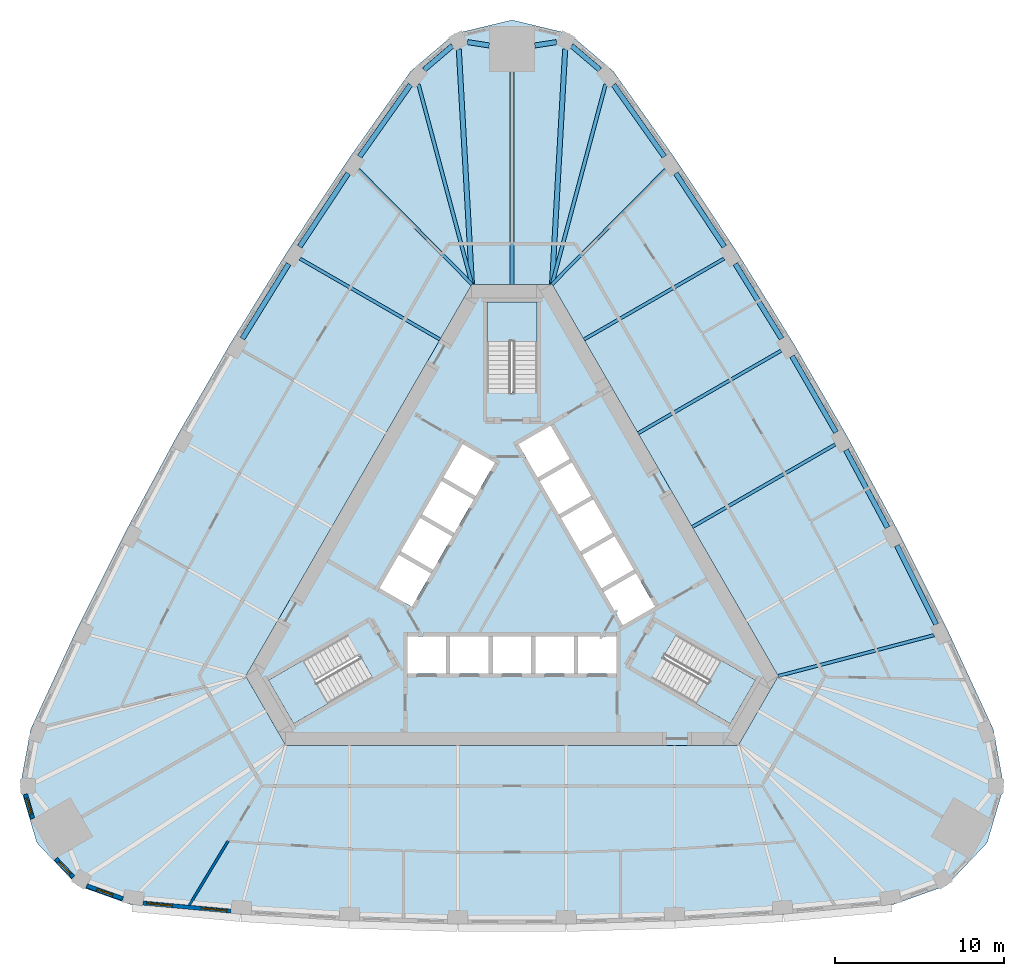
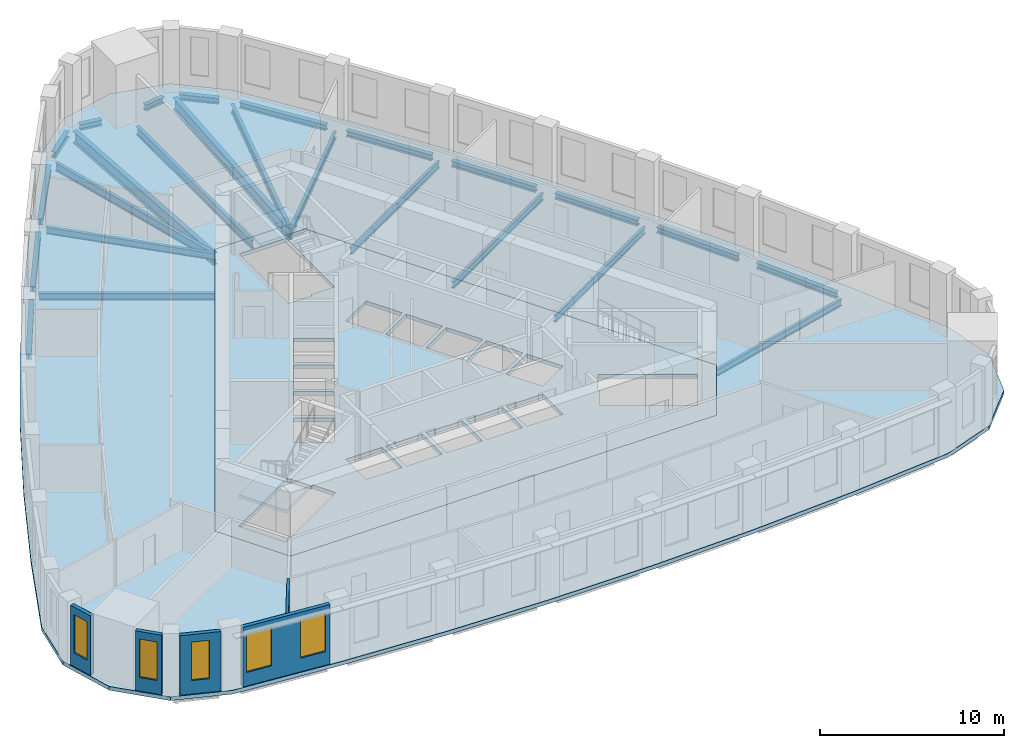
# One storey, part 2 of 10: 25 beams, 5 slabs, 5 walls, 5 windows, 5 openings, 3 elements without a shape of their own.
"""IFC4 building model written with IfcOpenShell, lengths in metres."""

import ifcopenshell
import ifcopenshell.guid

model = None  # the IFC model being written
_history = None  # IfcOwnerHistory: only IFC2X3 demands one
_inside = {}  # id of a spatial element -> (the spatial element, [elements in it])
_under = {}  # id of a project, library or spatial element -> (it, [spatial elements below it])
_declared = {}  # id of a project -> (the project, [libraries it declares])
_typed = {}  # id of a type object -> (the type object, [elements of that type])
_made_of = {}  # id of a material, layer set ... -> (it, [elements and type objects made of it])


def new_model(schema):
    """Start an empty IFC model of exactly this schema.

    Asked for "IFC4X3", IfcOpenShell would pick the latest addendum, in which some entities
    have other attributes; the version numbers below select the first issue.
    IFC2X3 requires an IfcOwnerHistory on every rooted entity: one is made here for all.
    """
    global model, _history
    if schema == "IFC4X3":
        model = ifcopenshell.file(schema_version=(4, 3, 0, 0))
    else:
        model = ifcopenshell.file(schema=schema)
    _inside.clear()
    _under.clear()
    _declared.clear()
    _typed.clear()
    _made_of.clear()
    _history = None
    if model.schema == "IFC2X3":
        org = make("IfcOrganization", Name="unknown")
        user = make(
            "IfcPersonAndOrganization",
            ThePerson=make("IfcPerson", FamilyName="unknown"),
            TheOrganization=org,
        )
        app = make(
            "IfcApplication",
            ApplicationDeveloper=org,
            Version="unknown",
            ApplicationFullName="unknown",
            ApplicationIdentifier="unknown",
        )
        _history = make(
            "IfcOwnerHistory",
            OwningUser=user,
            OwningApplication=app,
            ChangeAction="ADDED",
            CreationDate=0,
        )
    return model


def make(cls, **values):
    """One entity of the class cls with the attributes given. An attribute that is None is left unset."""
    return model.create_entity(
        cls, **{name: value for name, value in values.items() if value is not None}
    )


def rooted(cls, **values):
    """An entity with a GlobalId (a new one), such as an element, a storey or a relation."""
    return make(cls, GlobalId=ifcopenshell.guid.new(), OwnerHistory=_history, **values)


def si_unit(unit_type, name, prefix=None):
    """IfcSIUnit, for example si_unit("LENGTHUNIT", "METRE", prefix="MILLI")."""
    return make("IfcSIUnit", UnitType=unit_type, Prefix=prefix, Name=name)


def assignment(units):
    """IfcUnitAssignment: the units of a project."""
    return None if units is None else make("IfcUnitAssignment", Units=units)


def point(xyz):
    """IfcCartesianPoint."""
    return None if xyz is None else make("IfcCartesianPoint", Coordinates=xyz)


def direction(xyz):
    """IfcDirection."""
    return None if xyz is None else make("IfcDirection", DirectionRatios=xyz)


def frame(location, z_axis=None, x_axis=None):
    """IfcAxis2Placement3D, a coordinate frame: its origin and axes. An axis left out is left unset."""
    return make(
        "IfcAxis2Placement3D",
        Location=point(location),
        Axis=direction(z_axis),
        RefDirection=direction(x_axis),
    )


def frame_2d(location, x_axis=None):
    """IfcAxis2Placement2D, a coordinate frame in the plane: its origin and x axis."""
    return make(
        "IfcAxis2Placement2D", Location=point(location), RefDirection=direction(x_axis)
    )


def origin():
    """The frame at (0, 0, 0) with its axes left unset."""
    return frame((0.0, 0.0, 0.0))


def origin_2d():
    """The frame at (0, 0) in the plane with its x axis left unset."""
    return frame_2d((0.0, 0.0))


def place(relative_to, where):
    """IfcLocalPlacement: puts the frame where relative to a parent placement (None: the world)."""
    return make(
        "IfcLocalPlacement", PlacementRelTo=relative_to, RelativePlacement=where
    )


def context(
    kind, dimensions, precision=None, world=None, true_north=None, identifier=None
):
    """IfcGeometricRepresentationContext, for example the 3D "Model" context."""
    return make(
        "IfcGeometricRepresentationContext",
        ContextIdentifier=identifier,
        ContextType=kind,
        CoordinateSpaceDimension=dimensions,
        Precision=precision,
        WorldCoordinateSystem=world,
        TrueNorth=true_north,
    )


def subcontext(parent, identifier, kind, view, scale=None):
    """IfcGeometricRepresentationSubContext, for example "Body" below "Model"."""
    return make(
        "IfcGeometricRepresentationSubContext",
        ContextIdentifier=identifier,
        ContextType=kind,
        ParentContext=parent,
        TargetScale=scale,
        TargetView=view,
    )


def project(units=None, contexts=None):
    """IfcProject with its units and contexts."""
    return rooted(
        "IfcProject",
        Name="project",
        RepresentationContexts=contexts,
        UnitsInContext=assignment(units),
    )


def spatial(cls, under=None, at=None, **own):
    """A site, building, storey or space (cls), placed at a placement, below another one or the project."""
    s = rooted(cls, ObjectPlacement=at, **own)
    if under is not None:
        _under.setdefault(under.id(), (under, []))[1].append(s)
    return s


def polyline(points):
    """IfcPolyline through the points."""
    return make("IfcPolyline", Points=[point(p) for p in points])


def profile(cls, at=None, kind="AREA", **sizes):
    """A parametric profile (cls). Its sizes go by their IFC names, for example OverallWidth=200.0."""
    return make(cls, ProfileType=kind, Position=at, **sizes)


def rectangle(**sizes):
    """IfcRectangleProfileDef."""
    return profile("IfcRectangleProfileDef", **sizes)


def i_section(**sizes):
    """IfcIShapeProfileDef."""
    return profile("IfcIShapeProfileDef", **sizes)


def outline(outer, holes=None, kind="AREA"):
    """IfcArbitraryClosedProfileDef: a profile drawn as a closed curve; with holes, ...WithVoids."""
    if holes is None:
        return make("IfcArbitraryClosedProfileDef", ProfileType=kind, OuterCurve=outer)
    return make(
        "IfcArbitraryProfileDefWithVoids",
        ProfileType=kind,
        OuterCurve=outer,
        InnerCurves=holes,
    )


def extrude(swept, where, along, depth):
    """IfcExtrudedAreaSolid: the profile swept, set in the frame where, extruded along a direction by depth."""
    return make(
        "IfcExtrudedAreaSolid",
        SweptArea=swept,
        Position=where,
        ExtrudedDirection=direction(along),
        Depth=depth,
    )


def shape(context_of_items, identifier, shape_type, items):
    """IfcShapeRepresentation: the items that make up one representation, for example the "Body"."""
    return make(
        "IfcShapeRepresentation",
        ContextOfItems=context_of_items,
        RepresentationIdentifier=identifier,
        RepresentationType=shape_type,
        Items=items,
    )


def material(Name=None, Category=None):
    """IfcMaterial."""
    return make("IfcMaterial", Name=Name, Category=Category)


def layer(
    of_material, thickness, ventilated=None, Name=None, Category=None, Priority=None
):
    """IfcMaterialLayer: one layer of a wall or slab, of a material (None: an air gap)."""
    return make(
        "IfcMaterialLayer",
        Material=of_material,
        LayerThickness=thickness,
        IsVentilated=ventilated,
        Name=Name,
        Category=Category,
        Priority=Priority,
    )


def layer_set(layers, Name=None):
    """IfcMaterialLayerSet."""
    return make("IfcMaterialLayerSet", MaterialLayers=layers, LayerSetName=Name)


def material_profile(
    of_material, cross_section, Name=None, Category=None, Priority=None
):
    """IfcMaterialProfile: a cross section and its material."""
    return make(
        "IfcMaterialProfile",
        Name=Name,
        Material=of_material,
        Profile=cross_section,
        Priority=Priority,
        Category=Category,
    )


def profile_set(profiles, Name=None, composite=None):
    """IfcMaterialProfileSet."""
    return make(
        "IfcMaterialProfileSet",
        Name=Name,
        MaterialProfiles=profiles,
        CompositeProfile=composite,
    )


def made_of(thing, what):
    """Note that an element or type object is made of a material, layer set ...; save() writes the relation."""
    if what is not None:
        _made_of.setdefault(what.id(), (what, []))[1].append(thing)
    return thing


def type_object(cls, material=None, **own):
    """A type object (cls), such as IfcWallType, which elements share."""
    return made_of(rooted(cls, **own), material)


def element(
    cls,
    number,
    at=None,
    inside=None,
    cuts=None,
    type_object=None,
    material=None,
    context=None,
    identifier="Body",
    shape_type=None,
    held_by="IfcProductDefinitionShape",
    body=None,
    shapes=None,
    **own,
):
    """One element of the class cls, such as IfcWall. Its Tag is "e" and its number.

    at: its placement. inside: the storey or other place that contains it. cuts: it is an
    opening in that element (IfcRelVoidsElement). A single representation is given by context,
    identifier, shape_type and body (its items); several are given by shapes. held_by: the class
    of the entity that holds the representations. save() writes the other relations.
    """
    e = rooted(cls, Tag="e%d" % number, ObjectPlacement=at, **own)
    if body is not None:
        shapes = [shape(context, identifier, shape_type, body)]
    if shapes is not None:
        e.Representation = make(held_by, Representations=shapes)
    if inside is not None:
        _inside.setdefault(inside.id(), (inside, []))[1].append(e)
    if cuts is not None:
        rooted(
            "IfcRelVoidsElement", RelatingBuildingElement=cuts, RelatedOpeningElement=e
        )
    if type_object is not None:
        _typed.setdefault(type_object.id(), (type_object, []))[1].append(e)
    return made_of(e, material)


def fill(opening, filler):
    """IfcRelFillsElement: the door or window that sits in an opening."""
    return rooted(
        "IfcRelFillsElement",
        RelatingOpeningElement=opening,
        RelatedBuildingElement=filler,
    )


def aggregate(whole, parts):
    """IfcRelAggregates: a whole, such as a stair, and the parts it consists of."""
    return rooted("IfcRelAggregates", RelatingObject=whole, RelatedObjects=parts)


def save(model, path):
    """Write the relations noted so far, then the file.

    IfcRelAggregates (storeys below a building ...), IfcRelContainedInSpatialStructure (elements
    in a storey), IfcRelDefinesByType, IfcRelAssociatesMaterial and IfcRelDeclares: one each for
    every whole, place, type object, material and project.
    """
    for whole, parts in _under.values():
        aggregate(whole, parts)
    for where, things in _inside.values():
        rooted(
            "IfcRelContainedInSpatialStructure",
            RelatedElements=things,
            RelatingStructure=where,
        )
    for kind, things in _typed.values():
        rooted("IfcRelDefinesByType", RelatedObjects=things, RelatingType=kind)
    for what, things in _made_of.values():
        rooted("IfcRelAssociatesMaterial", RelatedObjects=things, RelatingMaterial=what)
    for by, libraries in _declared.values():
        rooted("IfcRelDeclares", RelatingContext=by, RelatedDefinitions=libraries)
    model.write(path)


model = new_model("IFC4")

# Units and contexts
model_context = context("Model", 3, precision=1e-05, world=origin(), true_north=direction((0.0, 1.0)))
body_context = subcontext(model_context, "Body", "Model", "MODEL_VIEW")
ifc_project = project(units=[si_unit("LENGTHUNIT", "METRE"), si_unit("AREAUNIT", "SQUARE_METRE"), si_unit("VOLUMEUNIT", "CUBIC_METRE"), si_unit("PLANEANGLEUNIT", "RADIAN"), si_unit("MASSUNIT", "GRAM", prefix="KILO")], contexts=[model_context])

# Site, building, storey
site_placement = place(None, origin())
site = spatial("IfcSite", under=ifc_project, at=site_placement, CompositionType="ELEMENT")
building_placement = place(site_placement, origin())
building = spatial("IfcBuilding", under=site, at=building_placement, Name="Mestral Congress Tower", CompositionType="ELEMENT")
storey_placement = place(building_placement, frame((0.0, 0.0, 145.800048828125)))
storey = spatial("IfcBuildingStorey", under=building, at=storey_placement, Name="L34", CompositionType="ELEMENT", Elevation=145.800048828125)

# Beams
ifc_material_1 = material(Name="Steel S355", Category="steel")
ifc_material_profile_1 = material_profile(ifc_material_1, i_section(OverallWidth=0.300048828125, OverallDepth=0.800048828125, WebThickness=0.017578125, FlangeThickness=0.032958984375, FilletRadius=0.030029296875, at=origin_2d()), Name="HEB 800")
ifc_profile_set_1 = profile_set([ifc_material_profile_1], Name="Steel S355")
beam_type_1 = type_object("IfcBeamType", Name="Floor beam HEB 800 S355", PredefinedType="BEAM", material=ifc_profile_set_1)
for number, where, z_axis, x_axis, name in (
    (1, (3.143798828125, 30.703857421875, -0.650146484375), (-0.055769084972, -0.998443693536, 0.0), (0.998443693536, -0.055769084972, 0.0), "BM-L34-RB3-N1"),
    (2, (-3.143798828125, 30.703857421875, -0.650146484375), (0.055769084972, -0.998443693536, 0.0), (0.998443693536, 0.055769084972, 0.0), "BM-L34-RB3-N3"),
):
    element("IfcBeam", number, at=place(storey_placement, frame(where, z_axis=z_axis, x_axis=x_axis)), inside=storey, type_object=beam_type_1, Name=name, PredefinedType="BEAM", context=body_context, shape_type="SweptSolid", body=[
        extrude(i_section(OverallWidth=0.300048828125, OverallDepth=0.800048828125, WebThickness=0.017578125, FlangeThickness=0.032958984375, FilletRadius=0.030029296875, at=origin_2d()), origin(), (0.0, 0.0, 1.0), 13.925537109375),
    ])
ifc_material_profile_2 = material_profile(ifc_material_1, i_section(OverallWidth=0.18994140625, OverallDepth=0.449951171875, WebThickness=0.009521484375, FlangeThickness=0.0146484375, FilletRadius=0.02099609375, at=origin_2d()), Name="IPE 450")
ifc_profile_set_2 = profile_set([ifc_material_profile_2], Name="Steel S355")
beam_type_2 = type_object("IfcBeamType", Name="Floor beam IPE 450 S355", PredefinedType="BEAM", material=ifc_profile_set_2)
beam_1_placement = place(storey_placement, frame((24.938232421875, -3.93505859375, -0.47509765625), z_axis=(-0.967265999603, -0.253764627187, 0.0), x_axis=(0.253764627187, -0.967265999603, 0.0)))
element("IfcBeam", 3, at=beam_1_placement, inside=storey, type_object=beam_type_2, Name="BM-L34-RB3-E01", PredefinedType="BEAM", context=body_context, shape_type="SweptSolid", body=[
    extrude(i_section(OverallWidth=0.18994140625, OverallDepth=0.449951171875, WebThickness=0.009521484375, FlangeThickness=0.0146484375, FilletRadius=0.02099609375, at=origin_2d()), origin(), (0.0, 0.0, 1.0), 9.516845703125),
])
beam_2_placement = place(storey_placement, frame((19.100830078125, 7.332763671875, -0.47509765625), z_axis=(-0.866036015824, -0.499981618958, 0.0), x_axis=(0.499981618958, -0.866036015824, 0.0)))
element("IfcBeam", 4, at=beam_2_placement, inside=storey, type_object=beam_type_2, Name="BM-L34-RB3-E03", PredefinedType="BEAM", context=body_context, shape_type="SweptSolid", body=[
    extrude(i_section(OverallWidth=0.18994140625, OverallDepth=0.449951171875, WebThickness=0.009521484375, FlangeThickness=0.0146484375, FilletRadius=0.02099609375, at=origin_2d()), origin(), (0.0, 0.0, 1.0), 9.758056640625),
])
beam_3_placement = place(storey_placement, frame((15.90087890625, 12.875244140625, -0.47509765625), z_axis=(-0.866025182435, -0.500000383388, 0.0), x_axis=(0.500000383388, -0.866025182435, 0.0)))
element("IfcBeam", 5, at=beam_3_placement, inside=storey, type_object=beam_type_2, Name="BM-L34-RB3-E04", PredefinedType="BEAM", context=body_context, shape_type="SweptSolid", body=[
    extrude(i_section(OverallWidth=0.18994140625, OverallDepth=0.449951171875, WebThickness=0.009521484375, FlangeThickness=0.0146484375, FilletRadius=0.02099609375, at=origin_2d()), origin(), (0.0, 0.0, 1.0), 9.75830078125),
])
beam_4_placement = place(storey_placement, frame((12.532958984375, 18.317138671875, -0.47509765625), z_axis=(-0.866022320763, -0.500005339912, 0.0), x_axis=(0.500005339912, -0.866022320763, 0.0)))
element("IfcBeam", 6, at=beam_4_placement, inside=storey, type_object=beam_type_2, Name="BM-L34-RB3-E05", PredefinedType="BEAM", context=body_context, shape_type="SweptSolid", body=[
    extrude(i_section(OverallWidth=0.18994140625, OverallDepth=0.449951171875, WebThickness=0.009521484375, FlangeThickness=0.0146484375, FilletRadius=0.02099609375, at=origin_2d()), origin(), (0.0, 0.0, 1.0), 9.5625),
])
for number, where, z_axis, x_axis, name in (
    (7, (9.06103515625, 23.564697265625, -0.47509765625), (-0.703377189025, -0.710816804781, 0.0), (0.710816804781, -0.703377189025, 0.0), "BM-L34-RB3-E06"),
    (8, (-9.06103515625, 23.564697265625, -0.47509765625), (0.703377189025, -0.710816804781, 0.0), (0.710816804781, 0.703377189025, 0.0), "BM-L34-RB3-W01"),
):
    element("IfcBeam", number, at=place(storey_placement, frame(where, z_axis=z_axis, x_axis=x_axis)), inside=storey, type_object=beam_type_2, Name=name, PredefinedType="BEAM", context=body_context, shape_type="SweptSolid", body=[
        extrude(i_section(OverallWidth=0.18994140625, OverallDepth=0.449951171875, WebThickness=0.009521484375, FlangeThickness=0.0146484375, FilletRadius=0.02099609375, at=origin_2d()), origin(), (0.0, 0.0, 1.0), 9.516845703125),
    ])
beam_5_placement = place(storey_placement, frame((-12.532958984375, 18.317138671875, -0.47509765625), z_axis=(0.866022320763, -0.500005339912, 0.0), x_axis=(0.500005339912, 0.866022320763, 0.0)))
element("IfcBeam", 9, at=beam_5_placement, inside=storey, type_object=beam_type_2, Name="BM-L34-RB3-W02", PredefinedType="BEAM", context=body_context, shape_type="SweptSolid", body=[
    extrude(i_section(OverallWidth=0.18994140625, OverallDepth=0.449951171875, WebThickness=0.009521484375, FlangeThickness=0.0146484375, FilletRadius=0.02099609375, at=origin_2d()), origin(), (0.0, 0.0, 1.0), 9.5625),
])
ifc_material_profile_3 = material_profile(ifc_material_1, i_section(OverallWidth=0.2099609375, OverallDepth=0.550048828125, WebThickness=0.010986328125, FlangeThickness=0.01708984375, FilletRadius=0.02392578125, at=origin_2d()), Name="IPE 550")
ifc_profile_set_3 = profile_set([ifc_material_profile_3], Name="Steel S355")
beam_type_3 = type_object("IfcBeamType", Name="Floor beam IPE 550 S355", PredefinedType="BEAM", material=ifc_profile_set_3)
beam_6_placement = place(storey_placement, frame((5.5283203125, 28.609375, -0.525146484375), z_axis=(-0.258577363905, -0.965990552167, 0.0), x_axis=(0.965990552167, -0.258577363905, 0.0)))
element("IfcBeam", 10, at=beam_6_placement, inside=storey, type_object=beam_type_3, Name="BM-L34-RB3-E07", PredefinedType="BEAM", context=body_context, shape_type="SweptSolid", body=[
    extrude(i_section(OverallWidth=0.2099609375, OverallDepth=0.550048828125, WebThickness=0.010986328125, FlangeThickness=0.01708984375, FilletRadius=0.02392578125, at=origin_2d()), origin(), (0.0, 0.0, 1.0), 12.22509765625),
])
beam_7_placement = place(storey_placement, frame((0.0, 29.354248046875, -0.525146484375), z_axis=(0.0, -1.0, 0.0), x_axis=(1.0, 0.0, 0.0)))
element("IfcBeam", 11, at=beam_7_placement, inside=storey, type_object=beam_type_3, Name="BM-L34-RB3-N", PredefinedType="BEAM", context=body_context, shape_type="SweptSolid", body=[
    extrude(i_section(OverallWidth=0.2099609375, OverallDepth=0.550048828125, WebThickness=0.010986328125, FlangeThickness=0.01708984375, FilletRadius=0.02392578125, at=origin_2d()), origin(), (0.0, 0.0, 1.0), 12.55419921875),
])
beam_8_placement = place(storey_placement, frame((-5.5283203125, 28.609375, -0.525146484375), z_axis=(0.258577363905, -0.965990552167, 0.0), x_axis=(0.965990552167, 0.258577363905, 0.0)))
element("IfcBeam", 12, at=beam_8_placement, inside=storey, type_object=beam_type_3, Name="BM-L34-RB3-W00", PredefinedType="BEAM", context=body_context, shape_type="SweptSolid", body=[
    extrude(i_section(OverallWidth=0.2099609375, OverallDepth=0.550048828125, WebThickness=0.010986328125, FlangeThickness=0.01708984375, FilletRadius=0.02392578125, at=origin_2d()), origin(), (0.0, 0.0, 1.0), 12.22509765625),
])
ifc_material_profile_4 = material_profile(ifc_material_1, i_section(OverallWidth=0.300048828125, OverallDepth=0.389892578125, WebThickness=0.010986328125, FlangeThickness=0.01904296875, FilletRadius=0.027099609375, at=origin_2d()), Name="HEA 400")
ifc_profile_set_4 = profile_set([ifc_material_profile_4], Name="Steel S355")
beam_type_4 = type_object("IfcBeamType", Name="Spandrel beam HEA 400 S355", PredefinedType="BEAM", material=ifc_profile_set_4)
beam_9_placement = place(storey_placement, frame((25.064453125, -3.294677734375, -0.445068359375), z_axis=(-0.446255467462, 0.894905613884, 0.0), x_axis=(-0.894905613884, -0.446255467462, 0.0)))
element("IfcBeam", 13, at=beam_9_placement, inside=storey, type_object=beam_type_4, Name="SP-L34-SB3-E01", PredefinedType="BEAM", context=body_context, shape_type="SweptSolid", body=[
    extrude(i_section(OverallWidth=0.300048828125, OverallDepth=0.389892578125, WebThickness=0.010986328125, FlangeThickness=0.01904296875, FilletRadius=0.027099609375, at=origin_2d()), origin(), (0.0, 0.0, 1.0), 5.199462890625),
])
for number, where, z_axis, x_axis, name in (
    (14, (22.1923828125, 2.424072265625, -0.445068359375), (-0.473332458078, 0.880883865291, 0.0), (-0.880883865291, -0.473332458078, 0.0), "SP-L34-SB3-E02"),
    (15, (19.147216796875, 8.052490234375, -0.445068359375), (-0.499992051641, 0.866029992723, 0.0), (-0.866029992723, -0.499992051641, 0.0), "SP-L34-SB3-E03"),
):
    element("IfcBeam", number, at=place(storey_placement, frame(where, z_axis=z_axis, x_axis=x_axis)), inside=storey, type_object=beam_type_4, Name=name, PredefinedType="BEAM", context=body_context, shape_type="SweptSolid", body=[
        extrude(i_section(OverallWidth=0.300048828125, OverallDepth=0.389892578125, WebThickness=0.010986328125, FlangeThickness=0.01904296875, FilletRadius=0.027099609375, at=origin_2d()), origin(), (0.0, 0.0, 1.0), 5.19970703125),
    ])
for number, where, z_axis, x_axis, name in (
    (16, (15.931640625, 13.585693359375, -0.445068359375), (-0.526220441006, 0.8503481919, 0.0), (-0.8503481919, -0.526220441006, 0.0), "SP-L34-SB3-E04"),
    (17, (12.548583984375, 19.017822265625, -0.445068359375), (-0.551901475275, 0.833909324561, 0.0), (-0.833909324561, -0.551901475275, 0.0), "SP-L34-SB3-E05"),
):
    element("IfcBeam", number, at=place(storey_placement, frame(where, z_axis=z_axis, x_axis=x_axis)), inside=storey, type_object=beam_type_4, Name=name, PredefinedType="BEAM", context=body_context, shape_type="SweptSolid", body=[
        extrude(i_section(OverallWidth=0.300048828125, OverallDepth=0.389892578125, WebThickness=0.010986328125, FlangeThickness=0.01904296875, FilletRadius=0.027099609375, at=origin_2d()), origin(), (0.0, 0.0, 1.0), 5.199462890625),
    ])
beam_10_placement = place(storey_placement, frame((9.00146484375, 24.34423828125, -0.445068359375), z_axis=(-0.577107284947, 0.816668342512, 0.0), x_axis=(-0.816668342512, -0.577107284947, 0.0)))
element("IfcBeam", 18, at=beam_10_placement, inside=storey, type_object=beam_type_4, Name="SP-L34-SB3-E06", PredefinedType="BEAM", context=body_context, shape_type="SweptSolid", body=[
    extrude(i_section(OverallWidth=0.300048828125, OverallDepth=0.389892578125, WebThickness=0.010986328125, FlangeThickness=0.01904296875, FilletRadius=0.027099609375, at=origin_2d()), origin(), (0.0, 0.0, 1.0), 5.197509765625),
])
beam_11_placement = place(storey_placement, frame((5.191162109375, 29.47509765625, -0.445068359375), z_axis=(-0.761471479234, 0.648198415852, 0.0), x_axis=(-0.648198415852, -0.761471479234, 0.0)))
element("IfcBeam", 19, at=beam_11_placement, inside=storey, type_object=beam_type_4, Name="SP-L34-SB3-E07", PredefinedType="BEAM", context=body_context, shape_type="SweptSolid", body=[
    extrude(i_section(OverallWidth=0.300048828125, OverallDepth=0.389892578125, WebThickness=0.010986328125, FlangeThickness=0.01904296875, FilletRadius=0.027099609375, at=origin_2d()), origin(), (0.0, 0.0, 1.0), 2.189697265625),
])
for number, where, z_axis, x_axis, name in (
    (20, (2.62353515625, 31.10986328125, -0.445068359375), (-0.988242111203, -0.152897121116, 0.0), (0.152897121116, -0.988242111203, 0.0), "SP-L34-SB3-N1"),
    (21, (-1.35009765625, 30.912841796875, -0.445068359375), (-0.988242111203, 0.152897121116, 0.0), (-0.152897121116, -0.988242111203, 0.0), "SP-L34-SB3-N"),
):
    element("IfcBeam", number, at=place(storey_placement, frame(where, z_axis=z_axis, x_axis=x_axis)), inside=storey, type_object=beam_type_4, Name=name, PredefinedType="BEAM", context=body_context, shape_type="SweptSolid", body=[
        extrude(i_section(OverallWidth=0.300048828125, OverallDepth=0.389892578125, WebThickness=0.010986328125, FlangeThickness=0.01904296875, FilletRadius=0.027099609375, at=origin_2d()), origin(), (0.0, 0.0, 1.0), 1.28857421875),
    ])
beam_12_placement = place(storey_placement, frame((-3.523681640625, 30.89453125, -0.445068359375), z_axis=(-0.761471479234, -0.648198415852, 0.0), x_axis=(0.648198415852, -0.761471479234, 0.0)))
element("IfcBeam", 22, at=beam_12_placement, inside=storey, type_object=beam_type_4, Name="SP-L34-SB3-N3", PredefinedType="BEAM", context=body_context, shape_type="SweptSolid", body=[
    extrude(i_section(OverallWidth=0.300048828125, OverallDepth=0.389892578125, WebThickness=0.010986328125, FlangeThickness=0.01904296875, FilletRadius=0.027099609375, at=origin_2d()), origin(), (0.0, 0.0, 1.0), 2.189697265625),
])
beam_13_placement = place(storey_placement, frame((-6.001953125, 28.5888671875, -0.445068359375), z_axis=(-0.577107284947, -0.816668342512, 0.0), x_axis=(0.816668342512, -0.577107284947, 0.0)))
element("IfcBeam", 23, at=beam_13_placement, inside=storey, type_object=beam_type_4, Name="SP-L34-SB3-W00", PredefinedType="BEAM", context=body_context, shape_type="SweptSolid", body=[
    extrude(i_section(OverallWidth=0.300048828125, OverallDepth=0.389892578125, WebThickness=0.010986328125, FlangeThickness=0.01904296875, FilletRadius=0.027099609375, at=origin_2d()), origin(), (0.0, 0.0, 1.0), 5.197509765625),
])
for number, where, z_axis, x_axis, name in (
    (24, (-9.678955078125, 23.353759765625, -0.445068359375), (-0.551901475275, -0.833909324561, 0.0), (0.833909324561, -0.551901475275, 0.0), "SP-L34-SB3-W01"),
    (25, (-13.195556640625, 18.007080078125, -0.445068359375), (-0.526220441006, -0.8503481919, 0.0), (0.8503481919, -0.526220441006, 0.0), "SP-L34-SB3-W02"),
):
    element("IfcBeam", number, at=place(storey_placement, frame(where, z_axis=z_axis, x_axis=x_axis)), inside=storey, type_object=beam_type_4, Name=name, PredefinedType="BEAM", context=body_context, shape_type="SweptSolid", body=[
        extrude(i_section(OverallWidth=0.300048828125, OverallDepth=0.389892578125, WebThickness=0.010986328125, FlangeThickness=0.01904296875, FilletRadius=0.027099609375, at=origin_2d()), origin(), (0.0, 0.0, 1.0), 5.199462890625),
    ])

# Slabs
ifc_material_2 = material(Name="Concrete C35/45", Category="concrete")
ifc_layer_1 = layer(ifc_material_2, 0.25)
ifc_layer_set_1 = layer_set([ifc_layer_1], Name="Concrete C35/45")
slab_type_1 = type_object("IfcSlabType", Name="Composite floor slab 250", PredefinedType="FLOOR", material=ifc_layer_set_1)
placement_1 = place(storey_placement, frame((0.0, 0.0, -0.25)))
element("IfcSlab", 26, at=placement_1, inside=storey, type_object=slab_type_1, Name="SL-L34", PredefinedType="FLOOR", context=body_context, shape_type="SweptSolid", body=[
    extrude(outline(polyline([(-22.455078125, -19.880126953125), (-25.68212890625, -18.731689453125), (-28.073974609375, -16.20849609375), (-29.06298828125, -12.87548828125), (-28.444091796875, -9.506591796875), (-25.73779296875, -3.63720703125), (-22.8759765625, 2.1025390625), (-19.84033203125, 7.751953125), (-16.633544921875, 13.30615234375), (-13.2587890625, 18.760009765625), (-9.71923828125, 24.1083984375), (-5.9892578125, 29.38671875), (-3.381103515625, 31.607177734375), (0.0, 32.4169921875), (3.381103515625, 31.607177734375), (5.9892578125, 29.38671875), (9.71923828125, 24.1083984375), (13.2587890625, 18.760009765625), (16.633544921875, 13.30615234375), (19.84033203125, 7.751953125), (22.8759765625, 2.1025390625), (25.73779296875, -3.63720703125), (28.444091796875, -9.506591796875), (29.06298828125, -12.87548828125), (28.073974609375, -16.20849609375), (25.68212890625, -18.731689453125), (22.455078125, -19.880126953125), (16.018798828125, -20.47119140625), (9.6171875, -20.862548828125), (3.206787109375, -21.05810546875), (-3.206787109375, -21.05810546875), (-9.6171875, -20.862548828125), (-16.018798828125, -20.47119140625), (-22.455078125, -19.880126953125)]), holes=[polyline([(-2.3671875, 16.800048828125), (-15.73291015625, -6.35009765625), (-13.36572265625, -10.449951171875), (13.36572265625, -10.449951171875), (15.73291015625, -6.35009765625), (2.3671875, 16.800048828125), (-2.3671875, 16.800048828125)])]), origin(), (0.0, 0.0, 1.0), 0.25),
])
ifc_material_3 = material(Name="Concrete C60/75", Category="concrete")
ifc_layer_2 = layer(ifc_material_3, 0.25)
ifc_layer_set_2 = layer_set([ifc_layer_2], Name="Concrete C60/75")
slab_type_2 = type_object("IfcSlabType", Name="Core floor slab RC 250", PredefinedType="FLOOR", material=ifc_layer_set_2)
element("IfcSlab", 27, at=placement_1, inside=storey, type_object=slab_type_2, Name="L34 core floor", PredefinedType="FLOOR", context=body_context, shape_type="SweptSolid", body=[
    extrude(outline(polyline([(13.36572265625, -10.449951171875), (-13.36572265625, -10.449951171875), (-15.73291015625, -6.35009765625), (-2.3671875, 16.800048828125), (2.3671875, 16.800048828125), (15.73291015625, -6.35009765625), (13.36572265625, -10.449951171875)]), holes=[polyline([(-9.8046875, -3.95751953125), (-14.37744140625, -6.59765625), (-12.90234375, -9.15234375), (-8.234619140625, -6.45751953125), (-8.971923828125, -5.179931640625), (-9.0673828125, -5.235107421875), (-9.8046875, -3.95751953125)]), polyline([(-3.905029296875, -4.0), (-6.175048828125, -4.0), (-6.175048828125, -6.199951171875), (-3.905029296875, -6.199951171875), (-3.905029296875, -4.0)]), polyline([(-1.385009765625, -4.0), (-3.655029296875, -4.0), (-3.655029296875, -6.199951171875), (-1.385009765625, -6.199951171875), (-1.385009765625, -4.0)]), polyline([(1.135009765625, -4.0), (-1.135009765625, -4.0), (-1.135009765625, -6.199951171875), (1.135009765625, -6.199951171875), (1.135009765625, -4.0)]), polyline([(-5.921630859375, -2.256591796875), (-4.78662109375, -0.29052734375), (-6.69189453125, 0.809326171875), (-7.826904296875, -1.156494140625), (-5.921630859375, -2.256591796875)]), polyline([(-4.66162109375, -0.07421875), (-3.526611328125, 1.8916015625), (-5.431884765625, 2.99169921875), (-6.56689453125, 1.02587890625), (-4.66162109375, -0.07421875)]), polyline([(-3.401611328125, 2.1083984375), (-2.2666015625, 4.07421875), (-4.171875, 5.174072265625), (-5.306884765625, 3.208251953125), (-3.401611328125, 2.1083984375)]), polyline([(-2.1416015625, 4.29052734375), (-1.006591796875, 6.256591796875), (-2.911865234375, 7.3564453125), (-4.046875, 5.390625), (-2.1416015625, 4.29052734375)]), polyline([(1.47509765625, 10.469970703125), (1.47509765625, 15.75), (-1.47509765625, 15.75), (-1.47509765625, 10.360107421875), (0.0, 10.360107421875), (0.0, 10.469970703125), (1.47509765625, 10.469970703125)]), polyline([(8.329833984375, -6.512451171875), (12.90234375, -9.15234375), (14.37744140625, -6.59765625), (9.70947265625, -3.902587890625), (8.971923828125, -5.179931640625), (9.0673828125, -5.235107421875), (8.329833984375, -6.512451171875)]), polyline([(3.655029296875, -4.0), (1.385009765625, -4.0), (1.385009765625, -6.199951171875), (3.655029296875, -6.199951171875), (3.655029296875, -4.0)]), polyline([(6.175048828125, -4.0), (3.905029296875, -4.0), (3.905029296875, -6.199951171875), (6.175048828125, -6.199951171875), (6.175048828125, -4.0)]), polyline([(5.41650390625, -1.3818359375), (6.551513671875, -3.34765625), (8.456787109375, -2.247802734375), (7.322021484375, -0.28173828125), (5.41650390625, -1.3818359375)]), polyline([(4.156494140625, 0.800537109375), (5.29150390625, -1.165283203125), (7.197021484375, -0.065185546875), (6.06201171875, 1.900634765625), (4.156494140625, 0.800537109375)]), polyline([(2.896484375, 2.98291015625), (4.031494140625, 1.01708984375), (5.93701171875, 2.1171875), (4.802001953125, 4.0830078125), (2.896484375, 2.98291015625)]), polyline([(3.5419921875, 6.265380859375), (1.63671875, 5.165283203125), (2.771484375, 3.199462890625), (4.677001953125, 4.29931640625), (3.5419921875, 6.265380859375)]), polyline([(2.281982421875, 8.44775390625), (0.376708984375, 7.34765625), (1.51171875, 5.3818359375), (3.4169921875, 6.481689453125), (2.281982421875, 8.44775390625)])]), origin(), (0.0, 0.0, 1.0), 0.25),
])

# Stair, slab
stair_type = type_object("IfcStairType", Name="Exit stair 1400", PredefinedType="HALF_TURN_STAIR", material=ifc_material_3)
placement_2 = place(storey_placement, origin())
stair_1 = element("IfcStair", 28, at=placement_2, inside=storey, type_object=stair_type, Name="L34 ST1", PredefinedType="HALF_TURN_STAIR")
ifc_layer_3 = layer(ifc_material_3, 0.199951171875)
ifc_layer_set_3 = layer_set([ifc_layer_3], Name="Concrete C60/75")
slab_type_3 = type_object("IfcSlabType", Name="Exit stair landing 200", PredefinedType="LANDING", material=ifc_layer_set_3)
placement_3 = place(storey_placement, frame((0.0, 0.0, 1.89990234375)))
slab_3 = element("IfcSlab", 29, at=placement_3, type_object=slab_type_3, Name="ST1 landing 1", PredefinedType="LANDING", context=body_context, shape_type="SweptSolid", body=[
    extrude(outline(polyline([(10.879638671875, -7.99609375), (12.364501953125, -5.424072265625), (14.39111328125, -6.593994140625), (12.906005859375, -9.166015625), (10.879638671875, -7.99609375)])), origin(), (0.0, 0.0, 1.0), 0.199951171875),
])
aggregate(stair_1, [slab_3])

stair_2 = element("IfcStair", 30, at=placement_2, inside=storey, type_object=stair_type, Name="L34 ST2", PredefinedType="HALF_TURN_STAIR")
slab_4 = element("IfcSlab", 31, at=placement_3, type_object=slab_type_3, Name="ST2 landing 1", PredefinedType="LANDING", context=body_context, shape_type="SweptSolid", body=[
    extrude(outline(polyline([(1.485107421875, 13.419921875), (-1.485107421875, 13.419921875), (-1.485107421875, 15.760009765625), (1.485107421875, 15.760009765625), (1.485107421875, 13.419921875)])), origin(), (0.0, 0.0, 1.0), 0.199951171875),
])
aggregate(stair_2, [slab_4])

stair_3 = element("IfcStair", 32, at=placement_2, inside=storey, type_object=stair_type, Name="L34 ST3", PredefinedType="HALF_TURN_STAIR")
slab_5 = element("IfcSlab", 33, at=placement_3, type_object=slab_type_3, Name="ST3 landing 1", PredefinedType="LANDING", context=body_context, shape_type="SweptSolid", body=[
    extrude(outline(polyline([(-12.364501953125, -5.424072265625), (-10.879638671875, -7.99609375), (-12.906005859375, -9.166015625), (-14.39111328125, -6.593994140625), (-12.364501953125, -5.424072265625)])), origin(), (0.0, 0.0, 1.0), 0.199951171875),
])
aggregate(stair_3, [slab_5])

# Wall, openings, windows
ifc_material_4 = material(Name="Precast concrete C40/50 with limestone facing", Category="masonry")
ifc_layer_4 = layer(ifc_material_4, 0.239990234375)
ifc_layer_set_4 = layer_set([ifc_layer_4], Name="Precast concrete C40/50 with limestone facing")
wall_type_1 = type_object("IfcWallType", Name="Facade stone wall 240", PredefinedType="SOLIDWALL", material=ifc_layer_set_4)
wall_1_placement = place(storey_placement, frame((-21.797119140625, -19.769775390625, 0.0), z_axis=(0.0, 0.0, 1.0), x_axis=(0.995808712151, -0.091460422067, 0.0)))
wall_1 = element("IfcWall", 34, at=wall_1_placement, inside=storey, type_object=wall_type_1, Name="Facade wall F0-00", PredefinedType="SOLIDWALL", context=body_context, shape_type="SweptSolid", body=[
    extrude(rectangle(XDim=5.213134765625, YDim=0.239990234375, at=frame_2d((2.6064453125, 0.0))), origin(), (0.0, 0.0, 1.0), 3.949951171875),
])
opening_1_placement = place(wall_1_placement, frame((0.220947265625, 0.0, 0.89990234375)))
opening_1 = element("IfcOpeningElement", 35, at=opening_1_placement, cuts=wall_1, Name="Opening W4", PredefinedType="OPENING", context=body_context, shape_type="SweptSolid", body=[
    extrude(rectangle(XDim=1.5, YDim=2.550048828125, at=frame_2d((0.75, 1.27490234375))), frame((0.0, 0.1298828125, 0.0), z_axis=(0.0, -1.0, 0.0), x_axis=(1.0, 0.0, 0.0)), (0.0, 0.0, 1.0), 0.260009765625),
])
opening_2_placement = place(wall_1_placement, frame((3.452392578125, 0.0, 0.89990234375)))
opening_2 = element("IfcOpeningElement", 36, at=opening_2_placement, cuts=wall_1, Name="Opening W4", PredefinedType="OPENING", context=body_context, shape_type="SweptSolid", body=[
    extrude(rectangle(XDim=1.5, YDim=2.550048828125, at=frame_2d((0.75, 1.27490234375))), frame((0.0, 0.1298828125, 0.0), z_axis=(0.0, -1.0, 0.0), x_axis=(1.0, 0.0, 0.0)), (0.0, 0.0, 1.0), 0.260009765625),
])
ifc_material_5 = material(Name="Clear low-emissivity double glazing", Category="glass")
window_type_1 = type_object("IfcWindowType", Name="Facade punched window 1500 x 2550 sill 900", PartitioningType="SINGLE_PANEL", PredefinedType="WINDOW", material=ifc_material_5)
window_1_placement = place(opening_1_placement, origin())
window_1 = element("IfcWindow", 37, at=window_1_placement, inside=storey, type_object=window_type_1, Name="Window F0-00a", OverallHeight=2.550048828125, OverallWidth=1.5, PartitioningType="SINGLE_PANEL", PredefinedType="WINDOW", context=body_context, shape_type="SweptSolid", body=[
    extrude(rectangle(XDim=1.5, YDim=2.550048828125, at=frame_2d((0.75, 1.27490234375))), frame((0.0, 0.0400390625, 0.0), z_axis=(0.0, -1.0, 0.0), x_axis=(1.0, 0.0, 0.0)), (0.0, 0.0, 1.0), 0.06005859375),
])
fill(opening_1, window_1)
window_2_placement = place(opening_2_placement, origin())
window_2 = element("IfcWindow", 38, at=window_2_placement, inside=storey, type_object=window_type_1, Name="Window F0-00b", OverallHeight=2.550048828125, OverallWidth=1.5, PartitioningType="SINGLE_PANEL", PredefinedType="WINDOW", context=body_context, shape_type="SweptSolid", body=[
    extrude(rectangle(XDim=1.5, YDim=2.550048828125, at=frame_2d((0.75, 1.27490234375))), frame((0.0, 0.0400390625, 0.0), z_axis=(0.0, -1.0, 0.0), x_axis=(1.0, 0.0, 0.0)), (0.0, 0.0, 1.0), 0.06005859375),
])
fill(opening_2, window_2)

# Wall, opening, window
wall_2_placement = place(storey_placement, frame((-28.747802734375, -13.340087890625, 0.0), z_axis=(0.0, 0.0, 1.0), x_axis=(0.284413721403, -0.958701640281, 0.0)))
wall_2 = element("IfcWall", 39, at=wall_2_placement, inside=storey, type_object=wall_type_1, Name="Facade wall K2-1", PredefinedType="SOLIDWALL", context=body_context, shape_type="SweptSolid", body=[
    extrude(rectangle(XDim=1.481689453125, YDim=0.239990234375, at=frame_2d((0.74072265625, 0.0))), origin(), (0.0, 0.0, 1.0), 3.949951171875),
])
opening_3_placement = place(wall_2_placement, frame((0.24072265625, 0.0, 0.89990234375)))
opening_3 = element("IfcOpeningElement", 40, at=opening_3_placement, cuts=wall_2, Name="Opening W5", PredefinedType="OPENING", context=body_context, shape_type="SweptSolid", body=[
    extrude(rectangle(XDim=1.0, YDim=2.550048828125, at=frame_2d((0.5, 1.27490234375))), frame((0.0, 0.1298828125, 0.0), z_axis=(0.0, -1.0, 0.0), x_axis=(1.0, 0.0, 0.0)), (0.0, 0.0, 1.0), 0.260009765625),
])
window_type_2 = type_object("IfcWindowType", Name="Facade punched window 1000 x 2550 sill 900", PartitioningType="SINGLE_PANEL", PredefinedType="WINDOW", material=ifc_material_5)
window_3_placement = place(opening_3_placement, origin())
window_3 = element("IfcWindow", 41, at=window_3_placement, inside=storey, type_object=window_type_2, Name="Window K2-1", OverallHeight=2.550048828125, OverallWidth=1.0, PartitioningType="SINGLE_PANEL", PredefinedType="WINDOW", context=body_context, shape_type="SweptSolid", body=[
    extrude(rectangle(XDim=1.0, YDim=2.550048828125, at=frame_2d((0.5, 1.27490234375))), frame((0.0, 0.0400390625, 0.0), z_axis=(0.0, -1.0, 0.0), x_axis=(1.0, 0.0, 0.0)), (0.0, 0.0, 1.0), 0.06005859375),
])
fill(opening_3, window_3)

wall_3_placement = place(storey_placement, frame((-26.946044921875, -17.151123046875, 0.0), z_axis=(0.0, 0.0, 1.0), x_axis=(0.687986858937, -0.725723144133, 0.0)))
wall_3 = element("IfcWall", 42, at=wall_3_placement, inside=storey, type_object=wall_type_1, Name="Facade wall K2-2", PredefinedType="SOLIDWALL", context=body_context, shape_type="SweptSolid", body=[
    extrude(rectangle(XDim=1.4814453125, YDim=0.239990234375, at=frame_2d((0.74072265625, 0.0))), origin(), (0.0, 0.0, 1.0), 3.949951171875),
])
opening_4_placement = place(wall_3_placement, frame((0.24072265625, 0.0, 0.89990234375)))
opening_4 = element("IfcOpeningElement", 43, at=opening_4_placement, cuts=wall_3, Name="Opening W5", PredefinedType="OPENING", context=body_context, shape_type="SweptSolid", body=[
    extrude(rectangle(XDim=1.0, YDim=2.550048828125, at=frame_2d((0.5, 1.27490234375))), frame((0.0, 0.1298828125, 0.0), z_axis=(0.0, -1.0, 0.0), x_axis=(1.0, 0.0, 0.0)), (0.0, 0.0, 1.0), 0.260009765625),
])
window_4_placement = place(opening_4_placement, origin())
window_4 = element("IfcWindow", 44, at=window_4_placement, inside=storey, type_object=window_type_2, Name="Window K2-2", OverallHeight=2.550048828125, OverallWidth=1.0, PartitioningType="SINGLE_PANEL", PredefinedType="WINDOW", context=body_context, shape_type="SweptSolid", body=[
    extrude(rectangle(XDim=1.0, YDim=2.550048828125, at=frame_2d((0.5, 1.27490234375))), frame((0.0, 0.0400390625, 0.0), z_axis=(0.0, -1.0, 0.0), x_axis=(1.0, 0.0, 0.0)), (0.0, 0.0, 1.0), 0.06005859375),
])
fill(opening_4, window_4)

wall_4_placement = place(storey_placement, frame((-25.12109375, -18.750732421875, 0.0), z_axis=(0.0, 0.0, 1.0), x_axis=(0.942099727267, -0.335332825539, 0.0)))
wall_4 = element("IfcWall", 45, at=wall_4_placement, inside=storey, type_object=wall_type_1, Name="Facade wall K2-3", PredefinedType="SOLIDWALL", context=body_context, shape_type="SweptSolid", body=[
    extrude(rectangle(XDim=2.25048828125, YDim=0.239990234375, at=frame_2d((1.125244140625, 0.0))), origin(), (0.0, 0.0, 1.0), 3.949951171875),
])
opening_5_placement = place(wall_4_placement, frame((0.625244140625, 0.0, 0.89990234375)))
opening_5 = element("IfcOpeningElement", 46, at=opening_5_placement, cuts=wall_4, Name="Opening W5", PredefinedType="OPENING", context=body_context, shape_type="SweptSolid", body=[
    extrude(rectangle(XDim=1.0, YDim=2.550048828125, at=frame_2d((0.5, 1.27490234375))), frame((0.0, 0.1298828125, 0.0), z_axis=(0.0, -1.0, 0.0), x_axis=(1.0, 0.0, 0.0)), (0.0, 0.0, 1.0), 0.260009765625),
])
window_5_placement = place(opening_5_placement, origin())
window_5 = element("IfcWindow", 47, at=window_5_placement, inside=storey, type_object=window_type_2, Name="Window K2-3", OverallHeight=2.550048828125, OverallWidth=1.0, PartitioningType="SINGLE_PANEL", PredefinedType="WINDOW", context=body_context, shape_type="SweptSolid", body=[
    extrude(rectangle(XDim=1.0, YDim=2.550048828125, at=frame_2d((0.5, 1.27490234375))), frame((0.0, 0.0400390625, 0.0), z_axis=(0.0, -1.0, 0.0), x_axis=(1.0, 0.0, 0.0)), (0.0, 0.0, 1.0), 0.06005859375),
])
fill(opening_5, window_5)

# Wall
ifc_material_6 = material(Name="Plasterboard partition on steel studs", Category="steel")
ifc_layer_5 = layer(ifc_material_6, 0.14990234375)
ifc_layer_set_5 = layer_set([ifc_layer_5], Name="Plasterboard partition on steel studs")
wall_type_2 = type_object("IfcWallType", Name="Office partition 150", PredefinedType="PARTITIONING", material=ifc_layer_set_5)
wall_5_placement = place(storey_placement, frame((-16.7705078125, -16.090087890625, 0.0), z_axis=(0.0, 0.0, 1.0), x_axis=(-0.516817512045, -0.856095590015, 0.0)))
element("IfcWall", 48, at=wall_5_placement, inside=storey, type_object=wall_type_2, Name="Partition", PredefinedType="PARTITIONING", context=body_context, shape_type="SweptSolid", body=[
    extrude(rectangle(XDim=4.449951171875, YDim=0.14990234375, at=frame_2d((2.22509765625, 0.0))), origin(), (0.0, 0.0, 1.0), 3.14990234375),
])

save(model, "model.ifc")
